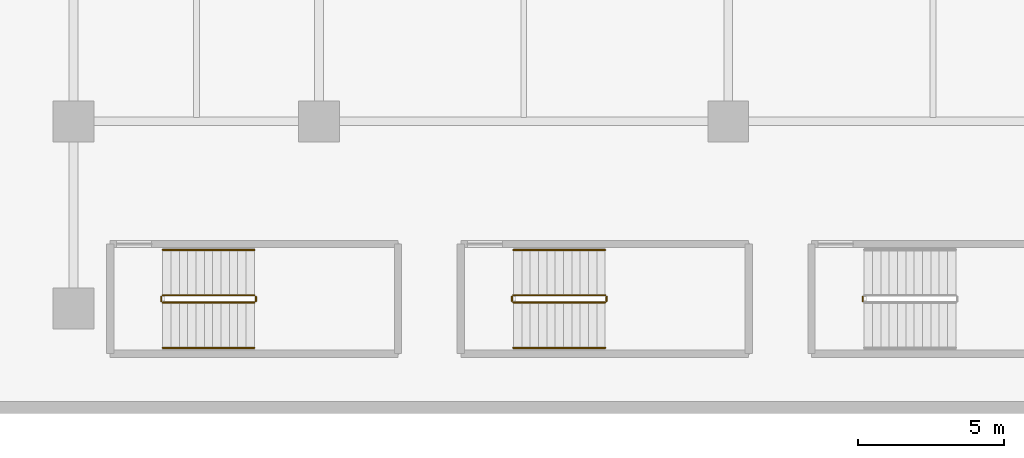
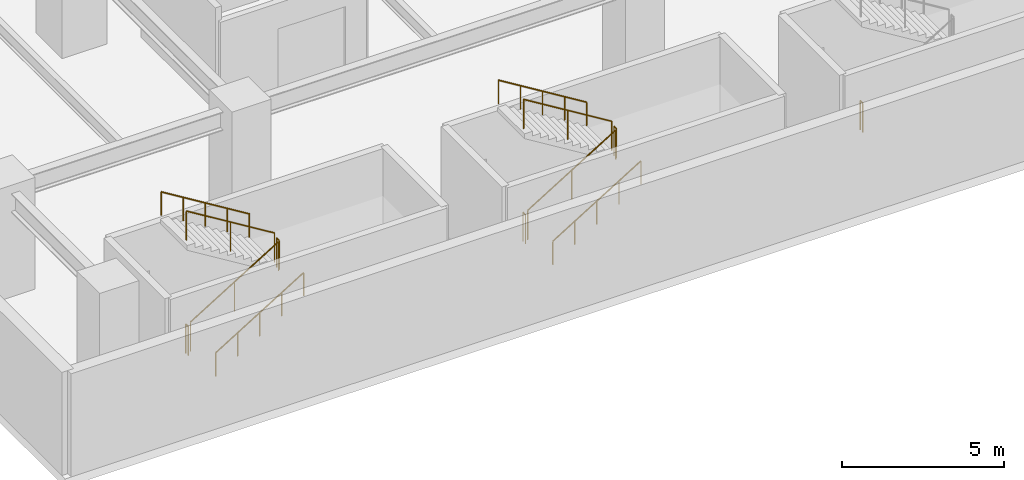
# One storey, part 15 of 22: 13 railings.
"""IFC4 building model written with IfcOpenShell, lengths in metres."""

from ifc_helpers import new_model, si_unit, direction, frame, origin, origin_2d, place, context, subcontext, project, spatial, circle, extrude, material, type_object, element, save


model = new_model("IFC4")

# Units and contexts
model_context = context("Model", 3, precision=1e-05, world=origin(), true_north=direction((0.0, 1.0)))
body_context = subcontext(model_context, "Body", "Model", "MODEL_VIEW")
ifc_project = project(units=[si_unit("LENGTHUNIT", "METRE"), si_unit("AREAUNIT", "SQUARE_METRE"), si_unit("VOLUMEUNIT", "CUBIC_METRE"), si_unit("PLANEANGLEUNIT", "RADIAN"), si_unit("MASSUNIT", "GRAM", prefix="KILO")], contexts=[model_context])

# Site, building, storey
site_placement = place(None, origin())
site = spatial("IfcSite", under=ifc_project, at=site_placement, CompositionType="ELEMENT")
building_placement = place(site_placement, origin())
building = spatial("IfcBuilding", under=site, at=building_placement, Name="Narakoshi Arena Tower", CompositionType="ELEMENT")
storey_placement = place(building_placement, frame((0.0, 0.0, 13.199951171875)))
storey = spatial("IfcBuildingStorey", under=building, at=storey_placement, Name="L03", CompositionType="ELEMENT", Elevation=13.199951171875)

# Railings
ifc_material_1 = material(Name="Clear low-iron laminated structural glass", Category="glass")
railing_type_1 = type_object("IfcRailingType", Name="RL-BAL-1100", PredefinedType="BALUSTRADE", material=ifc_material_1)
railing_1_placement = place(storey_placement, frame((6.64990234375, 3.800048828125, 0.175048828125)))
element("IfcRailing", 1, at=railing_1_placement, inside=storey, type_object=railing_type_1, Name="L03 AST1 stair guard 1", PredefinedType="BALUSTRADE", context=body_context, shape_type="SweptSolid", body=[
    extrude(circle(Radius=0.02392578125, at=origin_2d()), frame((0.0, 0.0, 1.09619140625), z_axis=(0.852166034122, 0.0, 0.523271488128), x_axis=(0.0, 1.0, 0.0)), (0.0, 0.0, 1.0), 3.678955078125),
    extrude(circle(Radius=0.02099609375, at=origin_2d()), origin(), (0.0, 0.0, 1.0), 1.072021484375),
    extrude(circle(Radius=0.02099609375, at=origin_2d()), frame((1.5673828125, 0.0, 0.96240234375)), (0.0, 0.0, 1.0), 1.072021484375),
    extrude(circle(Radius=0.02099609375, at=origin_2d()), frame((3.135009765625, 0.0, 1.925048828125)), (0.0, 0.0, 1.0), 1.072021484375),
])
railing_2_placement = place(storey_placement, frame((9.8349609375, 3.85009765625, 2.10009765625)))
element("IfcRailing", 2, at=railing_2_placement, inside=storey, type_object=railing_type_1, Name="L03 AST1 stair guard 2", PredefinedType="BALUSTRADE", context=body_context, shape_type="SweptSolid", body=[
    extrude(circle(Radius=0.02392578125, at=origin_2d()), frame((0.0, 0.0, 1.09619140625), z_axis=(0.0, 1.0, 0.0), x_axis=(-1.0, 0.0, 0.0)), (0.0, 0.0, 1.0), 0.14990234375),
    extrude(circle(Radius=0.02099609375, at=origin_2d()), origin(), (0.0, 0.0, 1.0), 1.072021484375),
    extrude(circle(Radius=0.02099609375, at=origin_2d()), frame((0.0, 0.14990234375, 0.0)), (0.0, 0.0, 1.0), 1.072021484375),
])
railing_3_placement = place(storey_placement, frame((9.784912109375, 4.050048828125, 2.275146484375)))
element("IfcRailing", 3, at=railing_3_placement, inside=storey, type_object=railing_type_1, Name="L03 AST1 stair guard 3", PredefinedType="BALUSTRADE", context=body_context, shape_type="SweptSolid", body=[
    extrude(circle(Radius=0.02392578125, at=origin_2d()), frame((0.0, 0.0, 1.09619140625), z_axis=(-0.852195625947, 0.0, 0.523223293744), x_axis=(0.0, -1.0, 0.0)), (0.0, 0.0, 1.0), 3.6787109375),
    extrude(circle(Radius=0.02099609375, at=origin_2d()), origin(), (0.0, 0.0, 1.0), 1.072021484375),
    extrude(circle(Radius=0.02099609375, at=origin_2d()), frame((-1.5673828125, 0.0, 0.96240234375)), (0.0, 0.0, 1.0), 1.072021484375),
    extrude(circle(Radius=0.02099609375, at=origin_2d()), frame((-3.135009765625, 0.0, 1.9248046875)), (0.0, 0.0, 1.0), 1.072021484375),
])
railing_4_placement = place(storey_placement, frame((6.60009765625, 3.85009765625, 0.0)))
element("IfcRailing", 4, at=railing_4_placement, inside=storey, type_object=railing_type_1, Name="L03 AST1 stair guard 4", PredefinedType="BALUSTRADE", context=body_context, shape_type="SweptSolid", body=[
    extrude(circle(Radius=0.02392578125, at=origin_2d()), frame((0.0, 0.0, 1.09619140625), z_axis=(0.0, 1.0, 0.0), x_axis=(-1.0, 0.0, 0.0)), (0.0, 0.0, 1.0), 0.14990234375),
    extrude(circle(Radius=0.02099609375, at=origin_2d()), origin(), (0.0, 0.0, 1.0), 1.072021484375),
    extrude(circle(Radius=0.02099609375, at=origin_2d()), frame((0.0, 0.14990234375, 0.0)), (0.0, 0.0, 1.0), 1.072021484375),
])
railing_5_placement = place(storey_placement, frame((18.64990234375, 3.800048828125, 0.175048828125)))
element("IfcRailing", 5, at=railing_5_placement, inside=storey, type_object=railing_type_1, Name="L03 AST2 stair guard 1", PredefinedType="BALUSTRADE", context=body_context, shape_type="SweptSolid", body=[
    extrude(circle(Radius=0.02392578125, at=origin_2d()), frame((0.0, 0.0, 1.09619140625), z_axis=(0.852166034122, 0.0, 0.523271488128), x_axis=(0.0, 1.0, 0.0)), (0.0, 0.0, 1.0), 3.678955078125),
    extrude(circle(Radius=0.02099609375, at=origin_2d()), origin(), (0.0, 0.0, 1.0), 1.072021484375),
    extrude(circle(Radius=0.02099609375, at=origin_2d()), frame((1.5673828125, 0.0, 0.96240234375)), (0.0, 0.0, 1.0), 1.072021484375),
    extrude(circle(Radius=0.02099609375, at=origin_2d()), frame((3.135009765625, 0.0, 1.925048828125)), (0.0, 0.0, 1.0), 1.072021484375),
])
railing_6_placement = place(storey_placement, frame((21.8349609375, 3.85009765625, 2.10009765625)))
element("IfcRailing", 6, at=railing_6_placement, inside=storey, type_object=railing_type_1, Name="L03 AST2 stair guard 2", PredefinedType="BALUSTRADE", context=body_context, shape_type="SweptSolid", body=[
    extrude(circle(Radius=0.02392578125, at=origin_2d()), frame((0.0, 0.0, 1.09619140625), z_axis=(0.0, 1.0, 0.0), x_axis=(-1.0, 0.0, 0.0)), (0.0, 0.0, 1.0), 0.14990234375),
    extrude(circle(Radius=0.02099609375, at=origin_2d()), origin(), (0.0, 0.0, 1.0), 1.072021484375),
    extrude(circle(Radius=0.02099609375, at=origin_2d()), frame((0.0, 0.14990234375, 0.0)), (0.0, 0.0, 1.0), 1.072021484375),
])
railing_7_placement = place(storey_placement, frame((21.784912109375, 4.050048828125, 2.275146484375)))
element("IfcRailing", 7, at=railing_7_placement, inside=storey, type_object=railing_type_1, Name="L03 AST2 stair guard 3", PredefinedType="BALUSTRADE", context=body_context, shape_type="SweptSolid", body=[
    extrude(circle(Radius=0.02392578125, at=origin_2d()), frame((0.0, 0.0, 1.09619140625), z_axis=(-0.852195625947, 0.0, 0.523223293744), x_axis=(0.0, -1.0, 0.0)), (0.0, 0.0, 1.0), 3.6787109375),
    extrude(circle(Radius=0.02099609375, at=origin_2d()), origin(), (0.0, 0.0, 1.0), 1.072021484375),
    extrude(circle(Radius=0.02099609375, at=origin_2d()), frame((-1.5673828125, 0.0, 0.96240234375)), (0.0, 0.0, 1.0), 1.072021484375),
    extrude(circle(Radius=0.02099609375, at=origin_2d()), frame((-3.135009765625, 0.0, 1.9248046875)), (0.0, 0.0, 1.0), 1.072021484375),
])
for number, where, name in (
    (8, (18.60009765625, 3.85009765625, 0.0), "L03 AST2 stair guard 4"),
    (9, (30.60009765625, 3.85009765625, 0.0), "L03 AST3 stair guard 4"),
):
    element("IfcRailing", number, at=place(storey_placement, frame(where)), inside=storey, type_object=railing_type_1, Name=name, PredefinedType="BALUSTRADE", context=body_context, shape_type="SweptSolid", body=[
        extrude(circle(Radius=0.02392578125, at=origin_2d()), frame((0.0, 0.0, 1.09619140625), z_axis=(0.0, 1.0, 0.0), x_axis=(-1.0, 0.0, 0.0)), (0.0, 0.0, 1.0), 0.14990234375),
        extrude(circle(Radius=0.02099609375, at=origin_2d()), origin(), (0.0, 0.0, 1.0), 1.072021484375),
        extrude(circle(Radius=0.02099609375, at=origin_2d()), frame((0.0, 0.14990234375, 0.0)), (0.0, 0.0, 1.0), 1.072021484375),
    ])
ifc_material_2 = material(Name="Brushed bronze stainless steel", Category="steel")
railing_type_2 = type_object("IfcRailingType", Name="RL-HND-900", PredefinedType="HANDRAIL", material=ifc_material_2)
railing_8_placement = place(storey_placement, frame((6.64990234375, 2.25, 0.175048828125)))
element("IfcRailing", 10, at=railing_8_placement, inside=storey, type_object=railing_type_2, Name="L03 AST1 stair handrail 1", PredefinedType="HANDRAIL", context=body_context, shape_type="SweptSolid", body=[
    extrude(circle(Radius=0.02392578125, at=origin_2d()), frame((0.0, 0.0, 0.8759765625), z_axis=(0.852166034122, 0.0, 0.523271488128), x_axis=(0.0, 1.0, 0.0)), (0.0, 0.0, 1.0), 3.678955078125),
    extrude(circle(Radius=0.02099609375, at=origin_2d()), origin(), (0.0, 0.0, 1.0), 0.851806640625),
    extrude(circle(Radius=0.02099609375, at=origin_2d()), frame((0.78369140625, 0.0, 0.481201171875)), (0.0, 0.0, 1.0), 0.851806640625),
    extrude(circle(Radius=0.02099609375, at=origin_2d()), frame((1.5673828125, 0.0, 0.96240234375)), (0.0, 0.0, 1.0), 0.851806640625),
    extrude(circle(Radius=0.02099609375, at=origin_2d()), frame((2.351318359375, 0.0, 1.44384765625)), (0.0, 0.0, 1.0), 0.851806640625),
    extrude(circle(Radius=0.02099609375, at=origin_2d()), frame((3.135009765625, 0.0, 1.925048828125)), (0.0, 0.0, 1.0), 0.851806640625),
])
railing_9_placement = place(storey_placement, frame((9.784912109375, 5.60009765625, 2.275146484375)))
element("IfcRailing", 11, at=railing_9_placement, inside=storey, type_object=railing_type_2, Name="L03 AST1 stair handrail 2", PredefinedType="HANDRAIL", context=body_context, shape_type="SweptSolid", body=[
    extrude(circle(Radius=0.02392578125, at=origin_2d()), frame((0.0, 0.0, 0.8759765625), z_axis=(-0.852195625947, 0.0, 0.523223293744), x_axis=(0.0, -1.0, 0.0)), (0.0, 0.0, 1.0), 3.6787109375),
    extrude(circle(Radius=0.02099609375, at=origin_2d()), origin(), (0.0, 0.0, 1.0), 0.851806640625),
    extrude(circle(Radius=0.02099609375, at=origin_2d()), frame((-0.78369140625, 0.0, 0.481201171875)), (0.0, 0.0, 1.0), 0.851806640625),
    extrude(circle(Radius=0.02099609375, at=origin_2d()), frame((-1.5673828125, 0.0, 0.96240234375)), (0.0, 0.0, 1.0), 0.851806640625),
    extrude(circle(Radius=0.02099609375, at=origin_2d()), frame((-2.351318359375, 0.0, 1.443603515625)), (0.0, 0.0, 1.0), 0.851806640625),
    extrude(circle(Radius=0.02099609375, at=origin_2d()), frame((-3.135009765625, 0.0, 1.9248046875)), (0.0, 0.0, 1.0), 0.851806640625),
])
railing_10_placement = place(storey_placement, frame((18.64990234375, 2.25, 0.175048828125)))
element("IfcRailing", 12, at=railing_10_placement, inside=storey, type_object=railing_type_2, Name="L03 AST2 stair handrail 1", PredefinedType="HANDRAIL", context=body_context, shape_type="SweptSolid", body=[
    extrude(circle(Radius=0.02392578125, at=origin_2d()), frame((0.0, 0.0, 0.8759765625), z_axis=(0.852166034122, 0.0, 0.523271488128), x_axis=(0.0, 1.0, 0.0)), (0.0, 0.0, 1.0), 3.678955078125),
    extrude(circle(Radius=0.02099609375, at=origin_2d()), origin(), (0.0, 0.0, 1.0), 0.851806640625),
    extrude(circle(Radius=0.02099609375, at=origin_2d()), frame((0.78369140625, 0.0, 0.481201171875)), (0.0, 0.0, 1.0), 0.851806640625),
    extrude(circle(Radius=0.02099609375, at=origin_2d()), frame((1.5673828125, 0.0, 0.96240234375)), (0.0, 0.0, 1.0), 0.851806640625),
    extrude(circle(Radius=0.02099609375, at=origin_2d()), frame((2.351318359375, 0.0, 1.44384765625)), (0.0, 0.0, 1.0), 0.851806640625),
    extrude(circle(Radius=0.02099609375, at=origin_2d()), frame((3.135009765625, 0.0, 1.925048828125)), (0.0, 0.0, 1.0), 0.851806640625),
])
railing_11_placement = place(storey_placement, frame((21.784912109375, 5.60009765625, 2.275146484375)))
element("IfcRailing", 13, at=railing_11_placement, inside=storey, type_object=railing_type_2, Name="L03 AST2 stair handrail 2", PredefinedType="HANDRAIL", context=body_context, shape_type="SweptSolid", body=[
    extrude(circle(Radius=0.02392578125, at=origin_2d()), frame((0.0, 0.0, 0.8759765625), z_axis=(-0.852195625947, 0.0, 0.523223293744), x_axis=(0.0, -1.0, 0.0)), (0.0, 0.0, 1.0), 3.6787109375),
    extrude(circle(Radius=0.02099609375, at=origin_2d()), origin(), (0.0, 0.0, 1.0), 0.851806640625),
    extrude(circle(Radius=0.02099609375, at=origin_2d()), frame((-0.78369140625, 0.0, 0.481201171875)), (0.0, 0.0, 1.0), 0.851806640625),
    extrude(circle(Radius=0.02099609375, at=origin_2d()), frame((-1.5673828125, 0.0, 0.96240234375)), (0.0, 0.0, 1.0), 0.851806640625),
    extrude(circle(Radius=0.02099609375, at=origin_2d()), frame((-2.351318359375, 0.0, 1.443603515625)), (0.0, 0.0, 1.0), 0.851806640625),
    extrude(circle(Radius=0.02099609375, at=origin_2d()), frame((-3.135009765625, 0.0, 1.9248046875)), (0.0, 0.0, 1.0), 0.851806640625),
])

save(model, "model.ifc")
